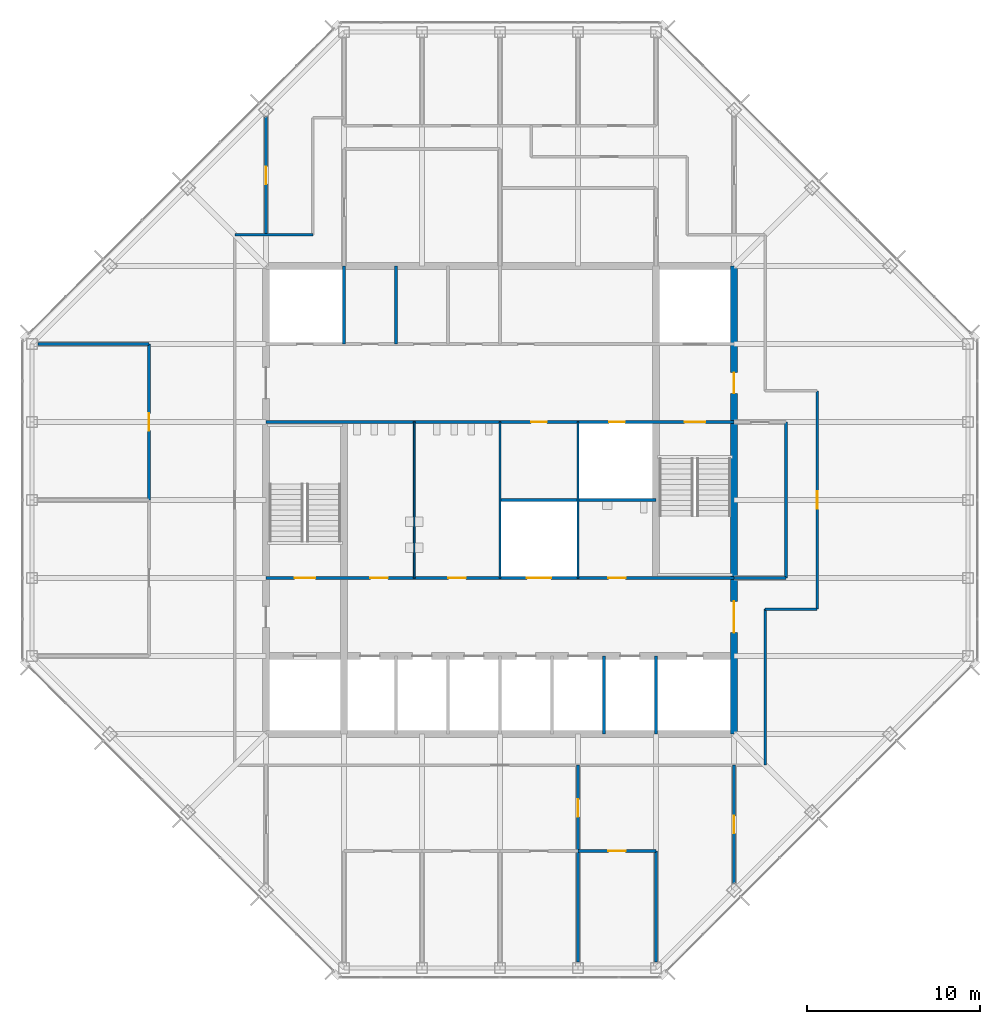
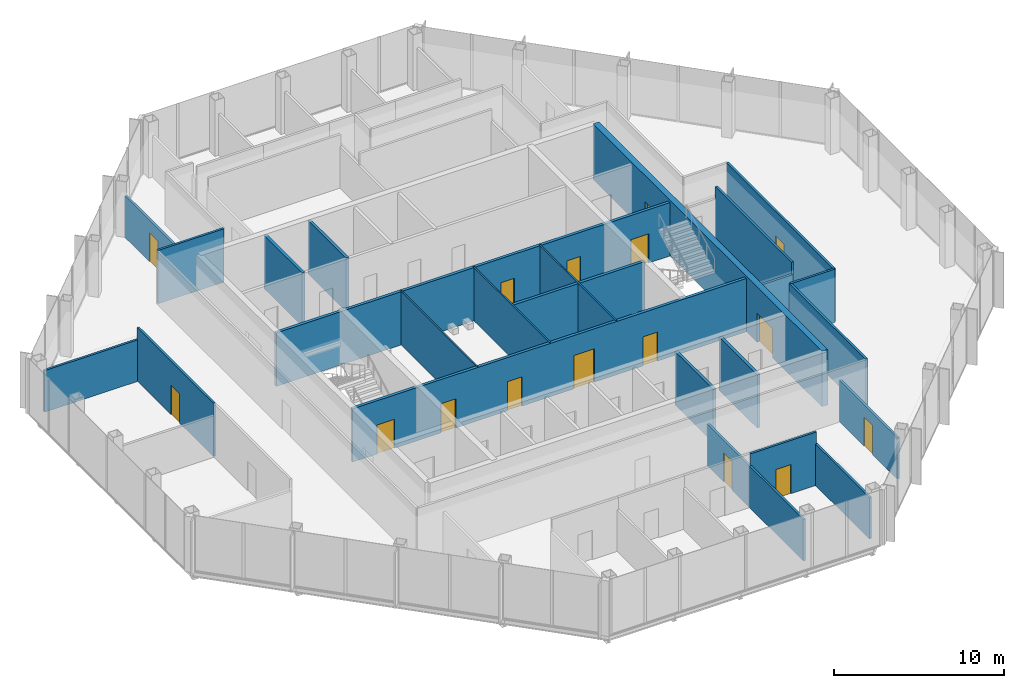
# One storey, part 10 of 14: 25 walls, 16 doors, 16 openings.
"""IFC4 building model written with IfcOpenShell, lengths in metres."""

import ifcopenshell
import ifcopenshell.guid

model = None  # the IFC model being written
_history = None  # IfcOwnerHistory: only IFC2X3 demands one
_inside = {}  # id of a spatial element -> (the spatial element, [elements in it])
_under = {}  # id of a project, library or spatial element -> (it, [spatial elements below it])
_declared = {}  # id of a project -> (the project, [libraries it declares])
_typed = {}  # id of a type object -> (the type object, [elements of that type])
_made_of = {}  # id of a material, layer set ... -> (it, [elements and type objects made of it])


def new_model(schema):
    """Start an empty IFC model of exactly this schema.

    Asked for "IFC4X3", IfcOpenShell would pick the latest addendum, in which some entities
    have other attributes; the version numbers below select the first issue.
    IFC2X3 requires an IfcOwnerHistory on every rooted entity: one is made here for all.
    """
    global model, _history
    if schema == "IFC4X3":
        model = ifcopenshell.file(schema_version=(4, 3, 0, 0))
    else:
        model = ifcopenshell.file(schema=schema)
    _inside.clear()
    _under.clear()
    _declared.clear()
    _typed.clear()
    _made_of.clear()
    _history = None
    if model.schema == "IFC2X3":
        org = make("IfcOrganization", Name="unknown")
        user = make(
            "IfcPersonAndOrganization",
            ThePerson=make("IfcPerson", FamilyName="unknown"),
            TheOrganization=org,
        )
        app = make(
            "IfcApplication",
            ApplicationDeveloper=org,
            Version="unknown",
            ApplicationFullName="unknown",
            ApplicationIdentifier="unknown",
        )
        _history = make(
            "IfcOwnerHistory",
            OwningUser=user,
            OwningApplication=app,
            ChangeAction="ADDED",
            CreationDate=0,
        )
    return model


def make(cls, **values):
    """One entity of the class cls with the attributes given. An attribute that is None is left unset."""
    return model.create_entity(
        cls, **{name: value for name, value in values.items() if value is not None}
    )


def rooted(cls, **values):
    """An entity with a GlobalId (a new one), such as an element, a storey or a relation."""
    return make(cls, GlobalId=ifcopenshell.guid.new(), OwnerHistory=_history, **values)


def si_unit(unit_type, name, prefix=None):
    """IfcSIUnit, for example si_unit("LENGTHUNIT", "METRE", prefix="MILLI")."""
    return make("IfcSIUnit", UnitType=unit_type, Prefix=prefix, Name=name)


def assignment(units):
    """IfcUnitAssignment: the units of a project."""
    return None if units is None else make("IfcUnitAssignment", Units=units)


def point(xyz):
    """IfcCartesianPoint."""
    return None if xyz is None else make("IfcCartesianPoint", Coordinates=xyz)


def direction(xyz):
    """IfcDirection."""
    return None if xyz is None else make("IfcDirection", DirectionRatios=xyz)


def frame(location, z_axis=None, x_axis=None):
    """IfcAxis2Placement3D, a coordinate frame: its origin and axes. An axis left out is left unset."""
    return make(
        "IfcAxis2Placement3D",
        Location=point(location),
        Axis=direction(z_axis),
        RefDirection=direction(x_axis),
    )


def frame_2d(location, x_axis=None):
    """IfcAxis2Placement2D, a coordinate frame in the plane: its origin and x axis."""
    return make(
        "IfcAxis2Placement2D", Location=point(location), RefDirection=direction(x_axis)
    )


def origin():
    """The frame at (0, 0, 0) with its axes left unset."""
    return frame((0.0, 0.0, 0.0))


def place(relative_to, where):
    """IfcLocalPlacement: puts the frame where relative to a parent placement (None: the world)."""
    return make(
        "IfcLocalPlacement", PlacementRelTo=relative_to, RelativePlacement=where
    )


def context(
    kind, dimensions, precision=None, world=None, true_north=None, identifier=None
):
    """IfcGeometricRepresentationContext, for example the 3D "Model" context."""
    return make(
        "IfcGeometricRepresentationContext",
        ContextIdentifier=identifier,
        ContextType=kind,
        CoordinateSpaceDimension=dimensions,
        Precision=precision,
        WorldCoordinateSystem=world,
        TrueNorth=true_north,
    )


def subcontext(parent, identifier, kind, view, scale=None):
    """IfcGeometricRepresentationSubContext, for example "Body" below "Model"."""
    return make(
        "IfcGeometricRepresentationSubContext",
        ContextIdentifier=identifier,
        ContextType=kind,
        ParentContext=parent,
        TargetScale=scale,
        TargetView=view,
    )


def project(units=None, contexts=None):
    """IfcProject with its units and contexts."""
    return rooted(
        "IfcProject",
        Name="project",
        RepresentationContexts=contexts,
        UnitsInContext=assignment(units),
    )


def spatial(cls, under=None, at=None, **own):
    """A site, building, storey or space (cls), placed at a placement, below another one or the project."""
    s = rooted(cls, ObjectPlacement=at, **own)
    if under is not None:
        _under.setdefault(under.id(), (under, []))[1].append(s)
    return s


def profile(cls, at=None, kind="AREA", **sizes):
    """A parametric profile (cls). Its sizes go by their IFC names, for example OverallWidth=200.0."""
    return make(cls, ProfileType=kind, Position=at, **sizes)


def rectangle(**sizes):
    """IfcRectangleProfileDef."""
    return profile("IfcRectangleProfileDef", **sizes)


def extrude(swept, where, along, depth):
    """IfcExtrudedAreaSolid: the profile swept, set in the frame where, extruded along a direction by depth."""
    return make(
        "IfcExtrudedAreaSolid",
        SweptArea=swept,
        Position=where,
        ExtrudedDirection=direction(along),
        Depth=depth,
    )


def shape(context_of_items, identifier, shape_type, items):
    """IfcShapeRepresentation: the items that make up one representation, for example the "Body"."""
    return make(
        "IfcShapeRepresentation",
        ContextOfItems=context_of_items,
        RepresentationIdentifier=identifier,
        RepresentationType=shape_type,
        Items=items,
    )


def material(Name=None, Category=None):
    """IfcMaterial."""
    return make("IfcMaterial", Name=Name, Category=Category)


def layer(
    of_material, thickness, ventilated=None, Name=None, Category=None, Priority=None
):
    """IfcMaterialLayer: one layer of a wall or slab, of a material (None: an air gap)."""
    return make(
        "IfcMaterialLayer",
        Material=of_material,
        LayerThickness=thickness,
        IsVentilated=ventilated,
        Name=Name,
        Category=Category,
        Priority=Priority,
    )


def layer_set(layers, Name=None):
    """IfcMaterialLayerSet."""
    return make("IfcMaterialLayerSet", MaterialLayers=layers, LayerSetName=Name)


def made_of(thing, what):
    """Note that an element or type object is made of a material, layer set ...; save() writes the relation."""
    if what is not None:
        _made_of.setdefault(what.id(), (what, []))[1].append(thing)
    return thing


def type_object(cls, material=None, **own):
    """A type object (cls), such as IfcWallType, which elements share."""
    return made_of(rooted(cls, **own), material)


def element(
    cls,
    number,
    at=None,
    inside=None,
    cuts=None,
    type_object=None,
    material=None,
    context=None,
    identifier="Body",
    shape_type=None,
    held_by="IfcProductDefinitionShape",
    body=None,
    shapes=None,
    **own,
):
    """One element of the class cls, such as IfcWall. Its Tag is "e" and its number.

    at: its placement. inside: the storey or other place that contains it. cuts: it is an
    opening in that element (IfcRelVoidsElement). A single representation is given by context,
    identifier, shape_type and body (its items); several are given by shapes. held_by: the class
    of the entity that holds the representations. save() writes the other relations.
    """
    e = rooted(cls, Tag="e%d" % number, ObjectPlacement=at, **own)
    if body is not None:
        shapes = [shape(context, identifier, shape_type, body)]
    if shapes is not None:
        e.Representation = make(held_by, Representations=shapes)
    if inside is not None:
        _inside.setdefault(inside.id(), (inside, []))[1].append(e)
    if cuts is not None:
        rooted(
            "IfcRelVoidsElement", RelatingBuildingElement=cuts, RelatedOpeningElement=e
        )
    if type_object is not None:
        _typed.setdefault(type_object.id(), (type_object, []))[1].append(e)
    return made_of(e, material)


def fill(opening, filler):
    """IfcRelFillsElement: the door or window that sits in an opening."""
    return rooted(
        "IfcRelFillsElement",
        RelatingOpeningElement=opening,
        RelatedBuildingElement=filler,
    )


def aggregate(whole, parts):
    """IfcRelAggregates: a whole, such as a stair, and the parts it consists of."""
    return rooted("IfcRelAggregates", RelatingObject=whole, RelatedObjects=parts)


def save(model, path):
    """Write the relations noted so far, then the file.

    IfcRelAggregates (storeys below a building ...), IfcRelContainedInSpatialStructure (elements
    in a storey), IfcRelDefinesByType, IfcRelAssociatesMaterial and IfcRelDeclares: one each for
    every whole, place, type object, material and project.
    """
    for whole, parts in _under.values():
        aggregate(whole, parts)
    for where, things in _inside.values():
        rooted(
            "IfcRelContainedInSpatialStructure",
            RelatedElements=things,
            RelatingStructure=where,
        )
    for kind, things in _typed.values():
        rooted("IfcRelDefinesByType", RelatedObjects=things, RelatingType=kind)
    for what, things in _made_of.values():
        rooted("IfcRelAssociatesMaterial", RelatedObjects=things, RelatingMaterial=what)
    for by, libraries in _declared.values():
        rooted("IfcRelDeclares", RelatingContext=by, RelatedDefinitions=libraries)
    model.write(path)


model = new_model("IFC4")

# Units and contexts
model_context = context("Model", 3, precision=1e-05, world=origin(), true_north=direction((0.0, 1.0)))
body_context = subcontext(model_context, "Body", "Model", "MODEL_VIEW")
ifc_project = project(units=[si_unit("LENGTHUNIT", "METRE"), si_unit("AREAUNIT", "SQUARE_METRE"), si_unit("VOLUMEUNIT", "CUBIC_METRE"), si_unit("PLANEANGLEUNIT", "RADIAN"), si_unit("MASSUNIT", "GRAM", prefix="KILO")], contexts=[model_context])

# Site, building, storey
site_placement = place(None, origin())
site = spatial("IfcSite", under=ifc_project, at=site_placement, CompositionType="ELEMENT")
building_placement = place(site_placement, origin())
building = spatial("IfcBuilding", under=site, at=building_placement, Name="Corais Broadcast Tower", CompositionType="ELEMENT")
storey_placement = place(building_placement, frame((0.0, 0.0, 258.60009765625)))
storey = spatial("IfcBuildingStorey", under=building, at=storey_placement, Name="L60", CompositionType="ELEMENT", Elevation=258.60009765625)

# Walls
ifc_material_1 = material(Name="Concrete blockwork class A, grouted, two-hour", Category="masonry")
ifc_layer_1 = layer(ifc_material_1, 0.199951171875)
ifc_layer_set_1 = layer_set([ifc_layer_1], Name="Concrete blockwork class A, grouted, two-hour")
wall_type_1 = type_object("IfcWallType", Name="Core lobby wall 200", PredefinedType="SOLIDWALL", material=ifc_layer_set_1)
for number, where, z_axis, x_axis, name in (
    (1, (18.0, 36.0, 0.0), (0.0, 0.0, 1.0), (0.0, 1.0, 0.0), "CL3 core shaft wall X18B L60"),
    (2, (36.0, 13.5, 0.0), (0.0, 0.0, 1.0), (0.0, 1.0, 0.0), "CL3 core shaft wall X36A L60"),
):
    element("IfcWall", number, at=place(storey_placement, frame(where, z_axis=z_axis, x_axis=x_axis)), inside=storey, type_object=wall_type_1, Name=name, PredefinedType="SOLIDWALL", context=body_context, shape_type="SweptSolid", body=[
        extrude(rectangle(XDim=4.5, YDim=0.199951171875, at=frame_2d((2.25, 0.0))), origin(), (0.0, 0.0, 1.0), 3.83984375),
    ])

# Wall, openings, doors
wall_1_placement = place(storey_placement, frame((13.5, 22.5, 0.0), z_axis=(0.0, 0.0, 1.0), x_axis=(1.0, 0.0, 0.0)))
wall_1 = element("IfcWall", 3, at=wall_1_placement, inside=storey, type_object=wall_type_1, Name="CL3 core lobby wall Y225 L60", PredefinedType="SOLIDWALL", context=body_context, shape_type="SweptSolid", body=[
    extrude(rectangle(XDim=27.0, YDim=0.199951171875, at=frame_2d((13.5, 0.0))), origin(), (0.0, 0.0, 1.0), 3.83984375),
])
opening_1_placement = place(wall_1_placement, frame((1.64990234375, 0.0, 0.0)))
opening_1 = element("IfcOpeningElement", 4, at=opening_1_placement, cuts=wall_1, Name="Opening FD1", PredefinedType="OPENING", context=body_context, shape_type="SweptSolid", body=[
    extrude(rectangle(XDim=1.199951171875, YDim=2.10009765625, at=frame_2d((0.60009765625, 1.050048828125))), frame((0.0, 0.10986328125, 0.0), z_axis=(0.0, -1.0, 0.0), x_axis=(1.0, 0.0, 0.0)), (0.0, 0.0, 1.0), 0.219970703125),
])
opening_2_placement = place(wall_1_placement, frame((6.02490234375, 0.0, 0.0)))
opening_2 = element("IfcOpeningElement", 5, at=opening_2_placement, cuts=wall_1, Name="Opening WD1", PredefinedType="OPENING", context=body_context, shape_type="SweptSolid", body=[
    extrude(rectangle(XDim=1.0, YDim=2.10009765625, at=frame_2d((0.5, 1.050048828125))), frame((0.0, 0.10986328125, 0.0), z_axis=(0.0, -1.0, 0.0), x_axis=(1.0, 0.0, 0.0)), (0.0, 0.0, 1.0), 0.219970703125),
])
opening_3_placement = place(wall_1_placement, frame((10.52490234375, 0.0, 0.0)))
opening_3 = element("IfcOpeningElement", 6, at=opening_3_placement, cuts=wall_1, Name="Opening WD1", PredefinedType="OPENING", context=body_context, shape_type="SweptSolid", body=[
    extrude(rectangle(XDim=1.0, YDim=2.10009765625, at=frame_2d((0.5, 1.050048828125))), frame((0.0, 0.10986328125, 0.0), z_axis=(0.0, -1.0, 0.0), x_axis=(1.0, 0.0, 0.0)), (0.0, 0.0, 1.0), 0.219970703125),
])
opening_4_placement = place(wall_1_placement, frame((19.75, 0.0, 0.0)))
opening_4 = element("IfcOpeningElement", 7, at=opening_4_placement, cuts=wall_1, Name="Opening WD1", PredefinedType="OPENING", context=body_context, shape_type="SweptSolid", body=[
    extrude(rectangle(XDim=1.0, YDim=2.10009765625, at=frame_2d((0.5, 1.050048828125))), frame((0.0, 0.10986328125, 0.0), z_axis=(0.0, -1.0, 0.0), x_axis=(1.0, 0.0, 0.0)), (0.0, 0.0, 1.0), 0.219970703125),
])
opening_5_placement = place(wall_1_placement, frame((15.050048828125, 0.0, 0.0)))
opening_5 = element("IfcOpeningElement", 8, at=opening_5_placement, cuts=wall_1, Name="Opening LD3", PredefinedType="OPENING", context=body_context, shape_type="SweptSolid", body=[
    extrude(rectangle(XDim=1.39990234375, YDim=2.39990234375, at=frame_2d((0.699951171875, 1.199951171875))), frame((0.0, 0.10986328125, 0.0), z_axis=(0.0, -1.0, 0.0), x_axis=(1.0, 0.0, 0.0)), (0.0, 0.0, 1.0), 0.219970703125),
])
ifc_material_2 = material(Name="Steel fire door", Category="steel")
door_type_1 = type_object("IfcDoorType", Name="Fire door 1200x2100", OperationType="SINGLE_SWING_LEFT", PredefinedType="DOOR", material=ifc_material_2)
door_1_placement = place(opening_1_placement, origin())
door_1 = element("IfcDoor", 9, at=door_1_placement, inside=storey, type_object=door_type_1, Name="FD1 stair A door L60", OperationType="SINGLE_SWING_LEFT", OverallHeight=2.10009765625, OverallWidth=1.199951171875, PredefinedType="DOOR", context=body_context, shape_type="SweptSolid", body=[
    extrude(rectangle(XDim=1.199951171875, YDim=2.10009765625, at=frame_2d((0.60009765625, 1.050048828125))), frame((0.0, 0.02490234375, 0.0), z_axis=(0.0, -1.0, 0.0), x_axis=(1.0, 0.0, 0.0)), (0.0, 0.0, 1.0), 0.050048828125),
])
fill(opening_1, door_1)
ifc_material_3 = material(Name="Stainless steel lift door", Category="steel")
door_type_2 = type_object("IfcDoorType", Name="Service lift landing door 1400x2400", OperationType="SLIDING_TO_LEFT", PredefinedType="DOOR", material=ifc_material_3)
door_2_placement = place(opening_5_placement, origin())
door_2 = element("IfcDoor", 10, at=door_2_placement, inside=storey, type_object=door_type_2, Name="LD3 SL1 landing door L60", OperationType="SLIDING_TO_LEFT", OverallHeight=2.39990234375, OverallWidth=1.39990234375, PredefinedType="DOOR", context=body_context, shape_type="SweptSolid", body=[
    extrude(rectangle(XDim=1.39990234375, YDim=2.39990234375, at=frame_2d((0.699951171875, 1.199951171875))), frame((0.0, 0.02490234375, 0.0), z_axis=(0.0, -1.0, 0.0), x_axis=(1.0, 0.0, 0.0)), (0.0, 0.0, 1.0), 0.050048828125),
])
fill(opening_5, door_2)
ifc_material_4 = material(Name="Timber door", Category="wood")
door_type_3 = type_object("IfcDoorType", Name="Toilet door 1000x2100", OperationType="SINGLE_SWING_LEFT", PredefinedType="DOOR", material=ifc_material_4)
door_3_placement = place(opening_2_placement, origin())
door_3 = element("IfcDoor", 11, at=door_3_placement, inside=storey, type_object=door_type_3, Name="WD1 WC male door L60", OperationType="SINGLE_SWING_LEFT", OverallHeight=2.10009765625, OverallWidth=1.0, PredefinedType="DOOR", context=body_context, shape_type="SweptSolid", body=[
    extrude(rectangle(XDim=1.0, YDim=2.10009765625, at=frame_2d((0.5, 1.050048828125))), frame((0.0, 0.02490234375, 0.0), z_axis=(0.0, -1.0, 0.0), x_axis=(1.0, 0.0, 0.0)), (0.0, 0.0, 1.0), 0.050048828125),
])
fill(opening_2, door_3)
door_4_placement = place(opening_3_placement, origin())
door_4 = element("IfcDoor", 12, at=door_4_placement, inside=storey, type_object=door_type_3, Name="WD1 WC female door L60", OperationType="SINGLE_SWING_LEFT", OverallHeight=2.10009765625, OverallWidth=1.0, PredefinedType="DOOR", context=body_context, shape_type="SweptSolid", body=[
    extrude(rectangle(XDim=1.0, YDim=2.10009765625, at=frame_2d((0.5, 1.050048828125))), frame((0.0, 0.02490234375, 0.0), z_axis=(0.0, -1.0, 0.0), x_axis=(1.0, 0.0, 0.0)), (0.0, 0.0, 1.0), 0.050048828125),
])
fill(opening_3, door_4)
door_5_placement = place(opening_4_placement, origin())
door_5 = element("IfcDoor", 13, at=door_5_placement, inside=storey, type_object=door_type_3, Name="WD1 accessible WC door L60", OperationType="SINGLE_SWING_RIGHT", OverallHeight=2.10009765625, OverallWidth=1.0, PredefinedType="DOOR", context=body_context, shape_type="SweptSolid", body=[
    extrude(rectangle(XDim=1.0, YDim=2.10009765625, at=frame_2d((0.5, 1.050048828125))), frame((0.0, 0.02490234375, 0.0), z_axis=(0.0, -1.0, 0.0), x_axis=(1.0, 0.0, 0.0)), (0.0, 0.0, 1.0), 0.050048828125),
])
fill(opening_4, door_5)

wall_2_placement = place(storey_placement, frame((13.5, 31.5, 0.0), z_axis=(0.0, 0.0, 1.0), x_axis=(1.0, 0.0, 0.0)))
wall_2 = element("IfcWall", 14, at=wall_2_placement, inside=storey, type_object=wall_type_1, Name="CL3 core lobby wall Y315 L60", PredefinedType="SOLIDWALL", context=body_context, shape_type="SweptSolid", body=[
    extrude(rectangle(XDim=27.0, YDim=0.199951171875, at=frame_2d((13.5, 0.0))), origin(), (0.0, 0.0, 1.0), 3.83984375),
])
opening_6_placement = place(wall_2_placement, frame((24.14990234375, 0.0, 0.0)))
opening_6 = element("IfcOpeningElement", 15, at=opening_6_placement, cuts=wall_2, Name="Opening FD1", PredefinedType="OPENING", context=body_context, shape_type="SweptSolid", body=[
    extrude(rectangle(XDim=1.199951171875, YDim=2.10009765625, at=frame_2d((0.60009765625, 1.050048828125))), frame((0.0, 0.10986328125, 0.0), z_axis=(0.0, -1.0, 0.0), x_axis=(1.0, 0.0, 0.0)), (0.0, 0.0, 1.0), 0.219970703125),
])
opening_7_placement = place(wall_2_placement, frame((15.300048828125, 0.0, 0.0)))
opening_7 = element("IfcOpeningElement", 16, at=opening_7_placement, cuts=wall_2, Name="Opening RD1", PredefinedType="OPENING", context=body_context, shape_type="SweptSolid", body=[
    extrude(rectangle(XDim=0.89990234375, YDim=2.10009765625, at=frame_2d((0.449951171875, 1.050048828125))), frame((0.0, 0.10986328125, 0.0), z_axis=(0.0, -1.0, 0.0), x_axis=(1.0, 0.0, 0.0)), (0.0, 0.0, 1.0), 0.219970703125),
])
opening_8_placement = place(wall_2_placement, frame((19.800048828125, 0.0, 0.0)))
opening_8 = element("IfcOpeningElement", 17, at=opening_8_placement, cuts=wall_2, Name="Opening RD1", PredefinedType="OPENING", context=body_context, shape_type="SweptSolid", body=[
    extrude(rectangle(XDim=0.89990234375, YDim=2.10009765625, at=frame_2d((0.449951171875, 1.050048828125))), frame((0.0, 0.10986328125, 0.0), z_axis=(0.0, -1.0, 0.0), x_axis=(1.0, 0.0, 0.0)), (0.0, 0.0, 1.0), 0.219970703125),
])
door_6_placement = place(opening_6_placement, origin())
door_6 = element("IfcDoor", 18, at=door_6_placement, inside=storey, type_object=door_type_1, Name="FD1 stair B door L60", OperationType="SINGLE_SWING_RIGHT", OverallHeight=2.10009765625, OverallWidth=1.199951171875, PredefinedType="DOOR", context=body_context, shape_type="SweptSolid", body=[
    extrude(rectangle(XDim=1.199951171875, YDim=2.10009765625, at=frame_2d((0.60009765625, 1.050048828125))), frame((0.0, 0.02490234375, 0.0), z_axis=(0.0, -1.0, 0.0), x_axis=(1.0, 0.0, 0.0)), (0.0, 0.0, 1.0), 0.050048828125),
])
fill(opening_6, door_6)
ifc_material_5 = material(Name="Steel fire door", Category="steel")
door_type_4 = type_object("IfcDoorType", Name="Riser door 900x2100", OperationType="SINGLE_SWING_LEFT", PredefinedType="DOOR", material=ifc_material_5)
door_7_placement = place(opening_7_placement, origin())
door_7 = element("IfcDoor", 19, at=door_7_placement, inside=storey, type_object=door_type_4, Name="RD1 cleaner's store door L60", OperationType="SINGLE_SWING_RIGHT", OverallHeight=2.10009765625, OverallWidth=0.89990234375, PredefinedType="DOOR", context=body_context, shape_type="SweptSolid", body=[
    extrude(rectangle(XDim=0.89990234375, YDim=2.10009765625, at=frame_2d((0.449951171875, 1.050048828125))), frame((0.0, 0.02490234375, 0.0), z_axis=(0.0, -1.0, 0.0), x_axis=(1.0, 0.0, 0.0)), (0.0, 0.0, 1.0), 0.050048828125),
])
fill(opening_7, door_7)
door_8_placement = place(opening_8_placement, origin())
door_8 = element("IfcDoor", 20, at=door_8_placement, inside=storey, type_object=door_type_4, Name="RD1 riser door L60", OperationType="SINGLE_SWING_RIGHT", OverallHeight=2.10009765625, OverallWidth=0.89990234375, PredefinedType="DOOR", context=body_context, shape_type="SweptSolid", body=[
    extrude(rectangle(XDim=0.89990234375, YDim=2.10009765625, at=frame_2d((0.449951171875, 1.050048828125))), frame((0.0, 0.02490234375, 0.0), z_axis=(0.0, -1.0, 0.0), x_axis=(1.0, 0.0, 0.0)), (0.0, 0.0, 1.0), 0.050048828125),
])
fill(opening_8, door_8)

ifc_material_6 = material(Name="Concrete C50/60", Category="concrete")
ifc_layer_2 = layer(ifc_material_6, 0.39990234375)
ifc_layer_set_2 = layer_set([ifc_layer_2], Name="Concrete C50/60")
wall_type_2 = type_object("IfcWallType", Name="Core wall 400", PredefinedType="SHEAR", material=ifc_layer_set_2)
wall_3_placement = place(storey_placement, frame((40.5, 13.5, 0.0), z_axis=(0.0, 0.0, 1.0), x_axis=(0.0, 1.0, 0.0)))
wall_3 = element("IfcWall", 21, at=wall_3_placement, inside=storey, type_object=wall_type_2, Name="CR400 core wall E L60", PredefinedType="SHEAR", context=body_context, shape_type="SweptSolid", body=[
    extrude(rectangle(XDim=27.0, YDim=0.39990234375, at=frame_2d((13.5, 0.0))), origin(), (0.0, 0.0, 1.0), 4.0),
])
opening_9_placement = place(wall_3_placement, frame((5.85009765625, 0.0, 0.0)))
opening_9 = element("IfcOpeningElement", 22, at=opening_9_placement, cuts=wall_3, Name="Opening FD2", PredefinedType="OPENING", context=body_context, shape_type="SweptSolid", body=[
    extrude(rectangle(XDim=1.800048828125, YDim=2.10009765625, at=frame_2d((0.89990234375, 1.050048828125))), frame((0.0, 0.2099609375, 0.0), z_axis=(0.0, -1.0, 0.0), x_axis=(1.0, 0.0, 0.0)), (0.0, 0.0, 1.0), 0.419921875),
])
opening_10_placement = place(wall_3_placement, frame((19.64990234375, 0.0, 0.0)))
opening_10 = element("IfcOpeningElement", 23, at=opening_10_placement, cuts=wall_3, Name="Opening FD1", PredefinedType="OPENING", context=body_context, shape_type="SweptSolid", body=[
    extrude(rectangle(XDim=1.199951171875, YDim=2.10009765625, at=frame_2d((0.60009765625, 1.050048828125))), frame((0.0, 0.2099609375, 0.0), z_axis=(0.0, -1.0, 0.0), x_axis=(1.0, 0.0, 0.0)), (0.0, 0.0, 1.0), 0.419921875),
])
door_9_placement = place(opening_10_placement, origin())
door_9 = element("IfcDoor", 24, at=door_9_placement, inside=storey, type_object=door_type_1, Name="FD1 fire lobby B door L60", OperationType="SINGLE_SWING_RIGHT", OverallHeight=2.10009765625, OverallWidth=1.199951171875, PredefinedType="DOOR", context=body_context, shape_type="SweptSolid", body=[
    extrude(rectangle(XDim=1.199951171875, YDim=2.10009765625, at=frame_2d((0.60009765625, 1.050048828125))), frame((0.0, 0.02490234375, 0.0), z_axis=(0.0, -1.0, 0.0), x_axis=(1.0, 0.0, 0.0)), (0.0, 0.0, 1.0), 0.050048828125),
])
fill(opening_10, door_9)
ifc_material_7 = material(Name="Steel fire door", Category="steel")
door_type_5 = type_object("IfcDoorType", Name="Fire door pair 1800x2100", OperationType="DOUBLE_DOOR_SINGLE_SWING", PredefinedType="DOOR", material=ifc_material_7)
door_10_placement = place(opening_9_placement, origin())
door_10 = element("IfcDoor", 25, at=door_10_placement, inside=storey, type_object=door_type_5, Name="FD2 lift lobby door L60", OperationType="SINGLE_SWING_LEFT", OverallHeight=2.10009765625, OverallWidth=1.800048828125, PredefinedType="DOOR", context=body_context, shape_type="SweptSolid", body=[
    extrude(rectangle(XDim=1.800048828125, YDim=2.10009765625, at=frame_2d((0.89990234375, 1.050048828125))), frame((0.0, 0.02490234375, 0.0), z_axis=(0.0, -1.0, 0.0), x_axis=(1.0, 0.0, 0.0)), (0.0, 0.0, 1.0), 0.050048828125),
])
fill(opening_9, door_10)

# Wall, opening, door
ifc_material_8 = material(Name="Gypsum board on steel studs", Category="steel")
ifc_layer_3 = layer(ifc_material_8, 0.14990234375)
ifc_layer_set_3 = layer_set([ifc_layer_3], Name="Gypsum board on steel studs")
wall_type_3 = type_object("IfcWallType", Name="Partition 150", PredefinedType="PARTITIONING", material=ifc_layer_set_3)
wall_4_placement = place(storey_placement, frame((45.300048828125, 20.699951171875, 0.0), z_axis=(0.0, 0.0, 1.0), x_axis=(0.0, 1.0, 0.0)))
wall_4 = element("IfcWall", 26, at=wall_4_placement, inside=storey, type_object=wall_type_3, Name="IW3 corridor wall L60", PredefinedType="PARTITIONING", context=body_context, shape_type="SweptSolid", body=[
    extrude(rectangle(XDim=12.60009765625, YDim=0.14990234375, at=frame_2d((6.300048828125, 0.0))), origin(), (0.0, 0.0, 1.0), 3.83984375),
])
opening_11_placement = place(wall_4_placement, frame((5.800048828125, 0.0, 0.0)))
opening_11 = element("IfcOpeningElement", 27, at=opening_11_placement, cuts=wall_4, Name="Opening D1", PredefinedType="OPENING", context=body_context, shape_type="SweptSolid", body=[
    extrude(rectangle(XDim=1.0, YDim=2.10009765625, at=frame_2d((0.5, 1.050048828125))), frame((0.0, 0.0849609375, 0.0), z_axis=(0.0, -1.0, 0.0), x_axis=(1.0, 0.0, 0.0)), (0.0, 0.0, 1.0), 0.169921875),
])
ifc_material_9 = material(Name="Timber door", Category="wood")
door_type_6 = type_object("IfcDoorType", Name="Single door 1000x2100", OperationType="SINGLE_SWING_LEFT", PredefinedType="DOOR", material=ifc_material_9)
door_11_placement = place(opening_11_placement, origin())
door_11 = element("IfcDoor", 28, at=door_11_placement, inside=storey, type_object=door_type_6, Name="D1 workplace door L60", OperationType="SINGLE_SWING_LEFT", OverallHeight=2.10009765625, OverallWidth=1.0, PredefinedType="DOOR", context=body_context, shape_type="SweptSolid", body=[
    extrude(rectangle(XDim=1.0, YDim=2.10009765625, at=frame_2d((0.5, 1.050048828125))), frame((0.0, 0.02490234375, 0.0), z_axis=(0.0, -1.0, 0.0), x_axis=(1.0, 0.0, 0.0)), (0.0, 0.0, 1.0), 0.050048828125),
])
fill(opening_11, door_11)

# Walls
wall_5_placement = place(storey_placement, frame((42.300048828125, 11.699951171875, 0.0), z_axis=(0.0, 0.0, 1.0), x_axis=(0.0, 1.0, 0.0)))
element("IfcWall", 29, at=wall_5_placement, inside=storey, type_object=wall_type_3, Name="IW3 corridor wall L60", PredefinedType="PARTITIONING", context=body_context, shape_type="SweptSolid", body=[
    extrude(rectangle(XDim=9.0, YDim=0.14990234375, at=frame_2d((4.5, 0.0))), origin(), (0.0, 0.0, 1.0), 3.83984375),
])
wall_6_placement = place(storey_placement, frame((16.199951171875, 42.300048828125, 0.0), z_axis=(0.0, 0.0, 1.0), x_axis=(-1.0, 0.0, 0.0)))
element("IfcWall", 30, at=wall_6_placement, inside=storey, type_object=wall_type_3, Name="IW3 corridor wall L60", PredefinedType="PARTITIONING", context=body_context, shape_type="SweptSolid", body=[
    extrude(rectangle(XDim=4.5, YDim=0.14990234375, at=frame_2d((2.25, 0.0))), origin(), (0.0, 0.0, 1.0), 3.83984375),
])
wall_7_placement = place(storey_placement, frame((42.300048828125, 20.699951171875, 0.0), z_axis=(0.0, 0.0, 1.0), x_axis=(1.0, 0.0, 0.0)))
element("IfcWall", 31, at=wall_7_placement, inside=storey, type_object=wall_type_3, Name="IW3 corridor wall L60", PredefinedType="PARTITIONING", context=body_context, shape_type="SweptSolid", body=[
    extrude(rectangle(XDim=3.0, YDim=0.14990234375, at=frame_2d((1.5, 0.0))), origin(), (0.0, 0.0, 1.0), 3.83984375),
])
for number, where, z_axis, x_axis, name in (
    (32, (31.5, 0.3349609375, 0.0), (0.0, 0.0, 1.0), (0.0, 1.0, 0.0), "IW3 partition L60"),
    (33, (36.0, 0.3349609375, 0.0), (0.0, 0.0, 1.0), (0.0, 1.0, 0.0), "IW3 partition L60"),
):
    element("IfcWall", number, at=place(storey_placement, frame(where, z_axis=z_axis, x_axis=x_axis)), inside=storey, type_object=wall_type_3, Name=name, PredefinedType="PARTITIONING", context=body_context, shape_type="SweptSolid", body=[
        extrude(rectangle(XDim=6.4150390625, YDim=0.14990234375, at=frame_2d((3.20751953125, 0.0))), origin(), (0.0, 0.0, 1.0), 2.989013671875),
    ])

# Wall, opening, door
wall_8_placement = place(storey_placement, frame((36.0, 6.75, 0.0), z_axis=(0.0, 0.0, 1.0), x_axis=(-1.0, 0.0, 0.0)))
wall_8 = element("IfcWall", 34, at=wall_8_placement, inside=storey, type_object=wall_type_3, Name="IW3 partition L60", PredefinedType="PARTITIONING", context=body_context, shape_type="SweptSolid", body=[
    extrude(rectangle(XDim=4.5, YDim=0.14990234375, at=frame_2d((2.25, 0.0))), origin(), (0.0, 0.0, 1.0), 3.83984375),
])
opening_12_placement = place(wall_8_placement, frame((1.75, 0.0, 0.0)))
opening_12 = element("IfcOpeningElement", 35, at=opening_12_placement, cuts=wall_8, Name="Opening D1", PredefinedType="OPENING", context=body_context, shape_type="SweptSolid", body=[
    extrude(rectangle(XDim=1.0, YDim=2.10009765625, at=frame_2d((0.5, 1.050048828125))), frame((0.0, 0.0849609375, 0.0), z_axis=(0.0, -1.0, 0.0), x_axis=(1.0, 0.0, 0.0)), (0.0, 0.0, 1.0), 0.169921875),
])
door_12_placement = place(opening_12_placement, origin())
door_12 = element("IfcDoor", 36, at=door_12_placement, inside=storey, type_object=door_type_6, Name="D1 Office door", OperationType="SINGLE_SWING_LEFT", OverallHeight=2.10009765625, OverallWidth=1.0, PredefinedType="DOOR", context=body_context, shape_type="SweptSolid", body=[
    extrude(rectangle(XDim=1.0, YDim=2.10009765625, at=frame_2d((0.5, 1.050048828125))), frame((0.0, 0.02490234375, 0.0), z_axis=(0.0, -1.0, 0.0), x_axis=(1.0, 0.0, 0.0)), (0.0, 0.0, 1.0), 0.050048828125),
])
fill(opening_12, door_12)

# Walls
wall_9_placement = place(storey_placement, frame((40.5, 22.5, 0.0), z_axis=(0.0, 0.0, 1.0), x_axis=(1.0, 0.0, 0.0)))
element("IfcWall", 37, at=wall_9_placement, inside=storey, type_object=wall_type_3, Name="IW3 partition L60", PredefinedType="PARTITIONING", context=body_context, shape_type="SweptSolid", body=[
    extrude(rectangle(XDim=3.0, YDim=0.14990234375, at=frame_2d((1.5, 0.0))), origin(), (0.0, 0.0, 1.0), 2.989013671875),
])
wall_10_placement = place(storey_placement, frame((43.5, 22.5, 0.0), z_axis=(0.0, 0.0, 1.0), x_axis=(0.0, 1.0, 0.0)))
element("IfcWall", 38, at=wall_10_placement, inside=storey, type_object=wall_type_3, Name="IW3 partition L60", PredefinedType="PARTITIONING", context=body_context, shape_type="SweptSolid", body=[
    extrude(rectangle(XDim=9.0, YDim=0.14990234375, at=frame_2d((4.5, 0.0))), origin(), (0.0, 0.0, 1.0), 3.83984375),
])

# Wall, opening, door
wall_11_placement = place(storey_placement, frame((6.75, 27.0, 0.0), z_axis=(0.0, 0.0, 1.0), x_axis=(0.0, 1.0, 0.0)))
wall_11 = element("IfcWall", 39, at=wall_11_placement, inside=storey, type_object=wall_type_3, Name="IW3 partition L60", PredefinedType="PARTITIONING", context=body_context, shape_type="SweptSolid", body=[
    extrude(rectangle(XDim=9.0, YDim=0.14990234375, at=frame_2d((4.5, 0.0))), origin(), (0.0, 0.0, 1.0), 3.83984375),
])
opening_13_placement = place(wall_11_placement, frame((4.0, 0.0, 0.0)))
opening_13 = element("IfcOpeningElement", 40, at=opening_13_placement, cuts=wall_11, Name="Opening D1", PredefinedType="OPENING", context=body_context, shape_type="SweptSolid", body=[
    extrude(rectangle(XDim=1.0, YDim=2.10009765625, at=frame_2d((0.5, 1.050048828125))), frame((0.0, 0.0849609375, 0.0), z_axis=(0.0, -1.0, 0.0), x_axis=(1.0, 0.0, 0.0)), (0.0, 0.0, 1.0), 0.169921875),
])
door_13_placement = place(opening_13_placement, origin())
door_13 = element("IfcDoor", 41, at=door_13_placement, inside=storey, type_object=door_type_6, Name="D1 Engineering workshop door", OperationType="SINGLE_SWING_LEFT", OverallHeight=2.10009765625, OverallWidth=1.0, PredefinedType="DOOR", context=body_context, shape_type="SweptSolid", body=[
    extrude(rectangle(XDim=1.0, YDim=2.10009765625, at=frame_2d((0.5, 1.050048828125))), frame((0.0, 0.02490234375, 0.0), z_axis=(0.0, -1.0, 0.0), x_axis=(1.0, 0.0, 0.0)), (0.0, 0.0, 1.0), 0.050048828125),
])
fill(opening_13, door_13)

# Wall
wall_12_placement = place(storey_placement, frame((6.75, 36.0, 0.0), z_axis=(0.0, 0.0, 1.0), x_axis=(-1.0, 0.0, 0.0)))
element("IfcWall", 42, at=wall_12_placement, inside=storey, type_object=wall_type_3, Name="IW3 partition L60", PredefinedType="PARTITIONING", context=body_context, shape_type="SweptSolid", body=[
    extrude(rectangle(XDim=6.4150390625, YDim=0.14990234375, at=frame_2d((3.20751953125, 0.0))), origin(), (0.0, 0.0, 1.0), 2.989013671875),
])

# Wall, opening, door
wall_13_placement = place(storey_placement, frame((13.5, 42.300048828125, 0.0), z_axis=(0.0, 0.0, 1.0), x_axis=(0.0, 1.0, 0.0)))
wall_13 = element("IfcWall", 43, at=wall_13_placement, inside=storey, type_object=wall_type_3, Name="IW3 partition L60", PredefinedType="PARTITIONING", context=body_context, shape_type="SweptSolid", body=[
    extrude(rectangle(XDim=6.85498046875, YDim=0.14990234375, at=frame_2d((3.427490234375, 0.0))), origin(), (0.0, 0.0, 1.0), 2.989013671875),
])
opening_14_placement = place(wall_13_placement, frame((2.927490234375, 0.0, 0.0)))
opening_14 = element("IfcOpeningElement", 44, at=opening_14_placement, cuts=wall_13, Name="Opening D1", PredefinedType="OPENING", context=body_context, shape_type="SweptSolid", body=[
    extrude(rectangle(XDim=1.0, YDim=2.10009765625, at=frame_2d((0.5, 1.050048828125))), frame((0.0, 0.0849609375, 0.0), z_axis=(0.0, -1.0, 0.0), x_axis=(1.0, 0.0, 0.0)), (0.0, 0.0, 1.0), 0.169921875),
])
door_14_placement = place(opening_14_placement, origin())
door_14 = element("IfcDoor", 45, at=door_14_placement, inside=storey, type_object=door_type_6, Name="D1 team room door L60", OperationType="SINGLE_SWING_LEFT", OverallHeight=2.10009765625, OverallWidth=1.0, PredefinedType="DOOR", context=body_context, shape_type="SweptSolid", body=[
    extrude(rectangle(XDim=1.0, YDim=2.10009765625, at=frame_2d((0.5, 1.050048828125))), frame((0.0, 0.02490234375, 0.0), z_axis=(0.0, -1.0, 0.0), x_axis=(1.0, 0.0, 0.0)), (0.0, 0.0, 1.0), 0.050048828125),
])
fill(opening_14, door_14)

wall_14_placement = place(storey_placement, frame((40.5, 4.844970703125, 0.0), z_axis=(0.0, 0.0, 1.0), x_axis=(0.0, 1.0, 0.0)))
wall_14 = element("IfcWall", 46, at=wall_14_placement, inside=storey, type_object=wall_type_3, Name="IW3 partition L60", PredefinedType="PARTITIONING", context=body_context, shape_type="SweptSolid", body=[
    extrude(rectangle(XDim=6.85498046875, YDim=0.14990234375, at=frame_2d((3.427490234375, 0.0))), origin(), (0.0, 0.0, 1.0), 2.989013671875),
])
opening_15_placement = place(wall_14_placement, frame((2.927490234375, 0.0, 0.0)))
opening_15 = element("IfcOpeningElement", 47, at=opening_15_placement, cuts=wall_14, Name="Opening D1", PredefinedType="OPENING", context=body_context, shape_type="SweptSolid", body=[
    extrude(rectangle(XDim=1.0, YDim=2.10009765625, at=frame_2d((0.5, 1.050048828125))), frame((0.0, 0.0849609375, 0.0), z_axis=(0.0, -1.0, 0.0), x_axis=(1.0, 0.0, 0.0)), (0.0, 0.0, 1.0), 0.169921875),
])
door_15_placement = place(opening_15_placement, origin())
door_15 = element("IfcDoor", 48, at=door_15_placement, inside=storey, type_object=door_type_6, Name="D1 team room door L60", OperationType="SINGLE_SWING_LEFT", OverallHeight=2.10009765625, OverallWidth=1.0, PredefinedType="DOOR", context=body_context, shape_type="SweptSolid", body=[
    extrude(rectangle(XDim=1.0, YDim=2.10009765625, at=frame_2d((0.5, 1.050048828125))), frame((0.0, 0.02490234375, 0.0), z_axis=(0.0, -1.0, 0.0), x_axis=(1.0, 0.0, 0.0)), (0.0, 0.0, 1.0), 0.050048828125),
])
fill(opening_15, door_15)

wall_15_placement = place(storey_placement, frame((31.5, 11.699951171875, 0.0), z_axis=(0.0, 0.0, 1.0), x_axis=(0.0, -1.0, 0.0)))
wall_15 = element("IfcWall", 49, at=wall_15_placement, inside=storey, type_object=wall_type_3, Name="IW3 partition L60", PredefinedType="PARTITIONING", context=body_context, shape_type="SweptSolid", body=[
    extrude(rectangle(XDim=4.949951171875, YDim=0.14990234375, at=frame_2d((2.47509765625, 0.0))), origin(), (0.0, 0.0, 1.0), 2.989013671875),
])
opening_16_placement = place(wall_15_placement, frame((1.97509765625, 0.0, 0.0)))
opening_16 = element("IfcOpeningElement", 50, at=opening_16_placement, cuts=wall_15, Name="Opening D1", PredefinedType="OPENING", context=body_context, shape_type="SweptSolid", body=[
    extrude(rectangle(XDim=1.0, YDim=2.10009765625, at=frame_2d((0.5, 1.050048828125))), frame((0.0, 0.0849609375, 0.0), z_axis=(0.0, -1.0, 0.0), x_axis=(1.0, 0.0, 0.0)), (0.0, 0.0, 1.0), 0.169921875),
])
door_16_placement = place(opening_16_placement, origin())
door_16 = element("IfcDoor", 51, at=door_16_placement, inside=storey, type_object=door_type_6, Name="D1 team room door L60", OperationType="SINGLE_SWING_LEFT", OverallHeight=2.10009765625, OverallWidth=1.0, PredefinedType="DOOR", context=body_context, shape_type="SweptSolid", body=[
    extrude(rectangle(XDim=1.0, YDim=2.10009765625, at=frame_2d((0.5, 1.050048828125))), frame((0.0, 0.02490234375, 0.0), z_axis=(0.0, -1.0, 0.0), x_axis=(1.0, 0.0, 0.0)), (0.0, 0.0, 1.0), 0.050048828125),
])
fill(opening_16, door_16)

# Walls
ifc_material_10 = material(Name="Concrete blockwork class A, grouted, two-hour", Category="masonry")
ifc_layer_4 = layer(ifc_material_10, 0.199951171875)
ifc_layer_set_4 = layer_set([ifc_layer_4], Name="Concrete blockwork class A, grouted, two-hour")
wall_type_4 = type_object("IfcWallType", Name="Shaft wall 200", PredefinedType="PARTITIONING", material=ifc_layer_set_4)
for number, where, z_axis, x_axis, name in (
    (52, (21.0, 36.0, 0.0), (0.0, 0.0, 1.0), (0.0, 1.0, 0.0), "IW1 shaft wall L60"),
    (53, (33.0, 13.5, 0.0), (0.0, 0.0, 1.0), (0.0, 1.0, 0.0), "IW1 shaft wall L60"),
):
    element("IfcWall", number, at=place(storey_placement, frame(where, z_axis=z_axis, x_axis=x_axis)), inside=storey, type_object=wall_type_4, Name=name, PredefinedType="PARTITIONING", context=body_context, shape_type="SweptSolid", body=[
        extrude(rectangle(XDim=4.5, YDim=0.199951171875, at=frame_2d((2.25, 0.0))), origin(), (0.0, 0.0, 1.0), 3.83984375),
    ])
wall_16_placement = place(storey_placement, frame((27.0, 27.0, 0.0), z_axis=(0.0, 0.0, 1.0), x_axis=(1.0, 0.0, 0.0)))
element("IfcWall", 54, at=wall_16_placement, inside=storey, type_object=wall_type_4, Name="IW1 shaft wall L60", PredefinedType="PARTITIONING", context=body_context, shape_type="SweptSolid", body=[
    extrude(rectangle(XDim=9.0, YDim=0.199951171875, at=frame_2d((4.5, 0.0))), origin(), (0.0, 0.0, 1.0), 3.83984375),
])
ifc_material_11 = material(Name="Dense concrete blockwork class A, tiled both faces", Category="masonry")
ifc_layer_5 = layer(ifc_material_11, 0.10009765625)
ifc_layer_set_5 = layer_set([ifc_layer_5], Name="Dense concrete blockwork class A, tiled both faces")
wall_type_5 = type_object("IfcWallType", Name="Toilet wall 100", PredefinedType="PLUMBINGWALL", material=ifc_layer_set_5)
for number, where, z_axis, x_axis, name in (
    (55, (22.050048828125, 22.5, 0.0), (0.0, 0.0, 1.0), (0.0, 1.0, 0.0), "IW2 toilet wall L60"),
    (56, (27.0, 22.5, 0.0), (0.0, 0.0, 1.0), (0.0, 1.0, 0.0), "IW2 toilet wall L60"),
    (57, (31.5, 22.5, 0.0), (0.0, 0.0, 1.0), (0.0, 1.0, 0.0), "IW2 toilet wall L60"),
):
    element("IfcWall", number, at=place(storey_placement, frame(where, z_axis=z_axis, x_axis=x_axis)), inside=storey, type_object=wall_type_5, Name=name, PredefinedType="PLUMBINGWALL", context=body_context, shape_type="SweptSolid", body=[
        extrude(rectangle(XDim=9.0, YDim=0.10009765625, at=frame_2d((4.5, 0.0))), origin(), (0.0, 0.0, 1.0), 3.83984375),
    ])

save(model, "model.ifc")
